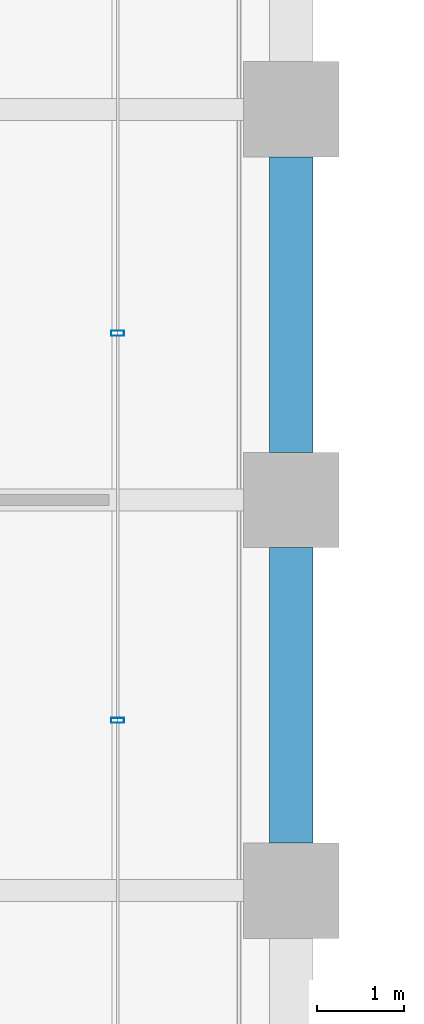
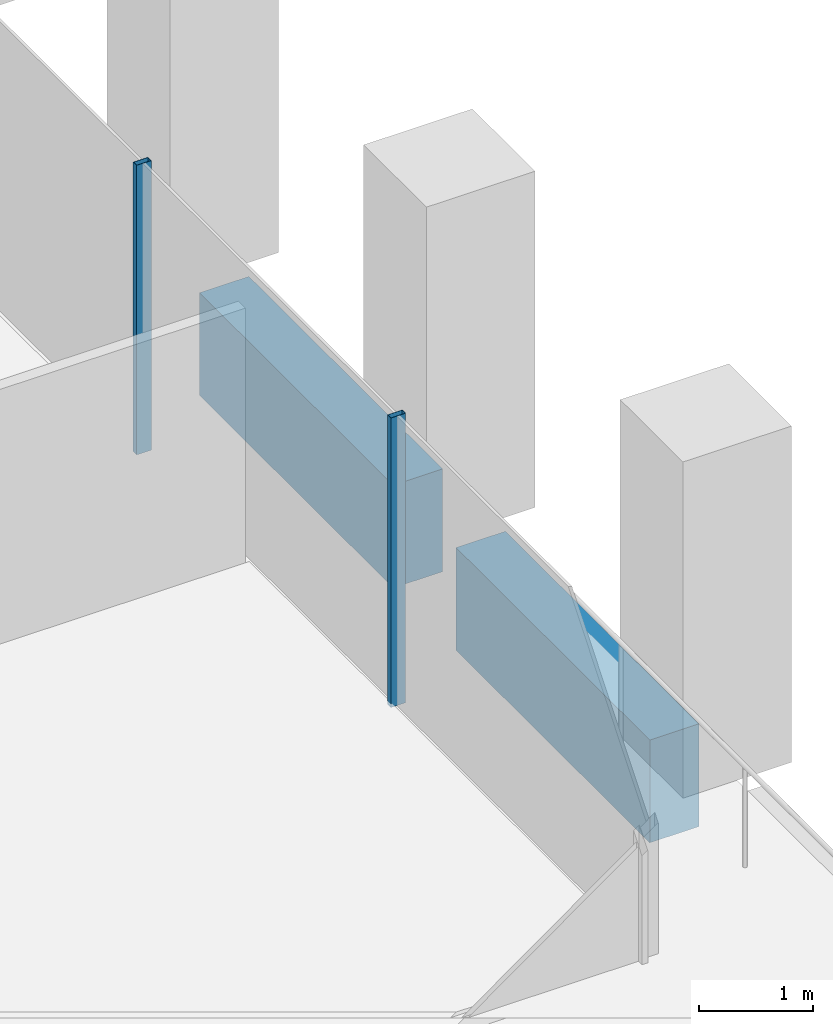
# One storey, part 18 of 56: 2 beams, 2 members, 1 element without a shape of its own.
"""IFC4 building model written with IfcOpenShell, lengths in metres."""

from ifc_helpers import new_model, si_unit, direction, frame, origin, origin_2d, place, context, subcontext, project, spatial, rectangle, hollow_rectangle, extrude, material, material_profile, profile_set, type_object, element, aggregate, save


model = new_model("IFC4")

# Units and contexts
model_context = context("Model", 3, precision=1e-05, world=origin(), true_north=direction((0.0, 1.0)))
body_context = subcontext(model_context, "Body", "Model", "MODEL_VIEW")
ifc_project = project(units=[si_unit("LENGTHUNIT", "METRE"), si_unit("AREAUNIT", "SQUARE_METRE"), si_unit("VOLUMEUNIT", "CUBIC_METRE"), si_unit("PLANEANGLEUNIT", "RADIAN"), si_unit("MASSUNIT", "GRAM", prefix="KILO")], contexts=[model_context])

# Site, building, storey
site_placement = place(None, origin())
site = spatial("IfcSite", under=ifc_project, at=site_placement, CompositionType="ELEMENT")
building_placement = place(site_placement, origin())
building = spatial("IfcBuilding", under=site, at=building_placement, Name="Altepetl Exchange Towers", CompositionType="ELEMENT")
storey_placement = place(building_placement, frame((0.0, 0.0, 51.0)))
storey = spatial("IfcBuildingStorey", under=building, at=storey_placement, Name="L11", CompositionType="ELEMENT", Elevation=51.0)

# Curtain wall, members
ifc_material_1 = material(Name="Aluminium 6063-T6 glazing", Category="aluminium")
curtain_wall_type = type_object("IfcCurtainWallType", Name="Loggia glazing system", PredefinedType="NOTDEFINED", material=ifc_material_1)
curtain_wall_placement = place(storey_placement, origin())
curtain_wall = element("IfcCurtainWall", 1, at=curtain_wall_placement, inside=storey, type_object=curtain_wall_type, Name="CW1 run", PredefinedType="NOTDEFINED")
ifc_material_2 = material(Name="Aluminium 6063-T6", Category="aluminium")
ifc_material_profile_1 = material_profile(ifc_material_2, hollow_rectangle(XDim=0.06005859375, YDim=0.14990234375, WallThickness=0.0029296875, at=origin_2d()), Name="Mullion 60x150 aluminium")
ifc_profile_set_1 = profile_set([ifc_material_profile_1], Name="Aluminium 6063-T6")
member_type = type_object("IfcMemberType", Name="Mullion 60x150 aluminium", PredefinedType="MULLION", material=ifc_profile_set_1)
member_1_placement = place(storey_placement, frame((70.0, 37.9609375, 0.0), z_axis=(0.0, 0.0, 1.0), x_axis=(0.0, 1.0, 0.0)))
member_1 = element("IfcMember", 2, at=member_1_placement, type_object=member_type, Name="MU1 mullion", PredefinedType="MULLION", context=body_context, shape_type="SweptSolid", body=[
    extrude(hollow_rectangle(XDim=0.06005859375, YDim=0.14990234375, WallThickness=0.0029296875, at=origin_2d()), origin(), (0.0, 0.0, 1.0), 3.10009765625),
])
member_2_placement = place(storey_placement, frame((70.0, 42.422119140625, 0.0), z_axis=(0.0, 0.0, 1.0), x_axis=(0.0, 1.0, 0.0)))
member_2 = element("IfcMember", 3, at=member_2_placement, type_object=member_type, Name="MU1 mullion", PredefinedType="MULLION", context=body_context, shape_type="SweptSolid", body=[
    extrude(hollow_rectangle(XDim=0.06005859375, YDim=0.14990234375, WallThickness=0.0029296875, at=origin_2d()), origin(), (0.0, 0.0, 1.0), 3.10009765625),
])
aggregate(curtain_wall, [member_1, member_2])

# Beams
ifc_material_3 = material(Name="Concrete C50/60 precast with cantera amarilla facing", Category="concrete")
ifc_material_profile_2 = material_profile(ifc_material_3, rectangle(XDim=0.5, YDim=1.10009765625, at=origin_2d()), Name="500 x 1100")
ifc_profile_set_2 = profile_set([ifc_material_profile_2], Name="Concrete C50/60 precast with cantera amarilla facing")
beam_type = type_object("IfcBeamType", Name="Spandrel beam 500x1100 cantera amarilla", PredefinedType="SPANDREL", material=ifc_profile_set_2)
for number, where, z_axis, x_axis, name in (
    (4, (72.0, 36.550048828125, -0.699951171875), (0.0, 1.0, 0.0), (-1.0, 0.0, 0.0), "sp:A:L11:013"),
    (5, (72.0, 41.050048828125, -0.699951171875), (0.0, 1.0, 0.0), (-1.0, 0.0, 0.0), "sp:A:L11:014"),
):
    element("IfcBeam", number, at=place(storey_placement, frame(where, z_axis=z_axis, x_axis=x_axis)), inside=storey, type_object=beam_type, Name=name, PredefinedType="SPANDREL", context=body_context, shape_type="SweptSolid", body=[
        extrude(rectangle(XDim=0.5, YDim=1.10009765625, at=origin_2d()), origin(), (0.0, 0.0, 1.0), 3.39990234375),
    ])

save(model, "model.ifc")
